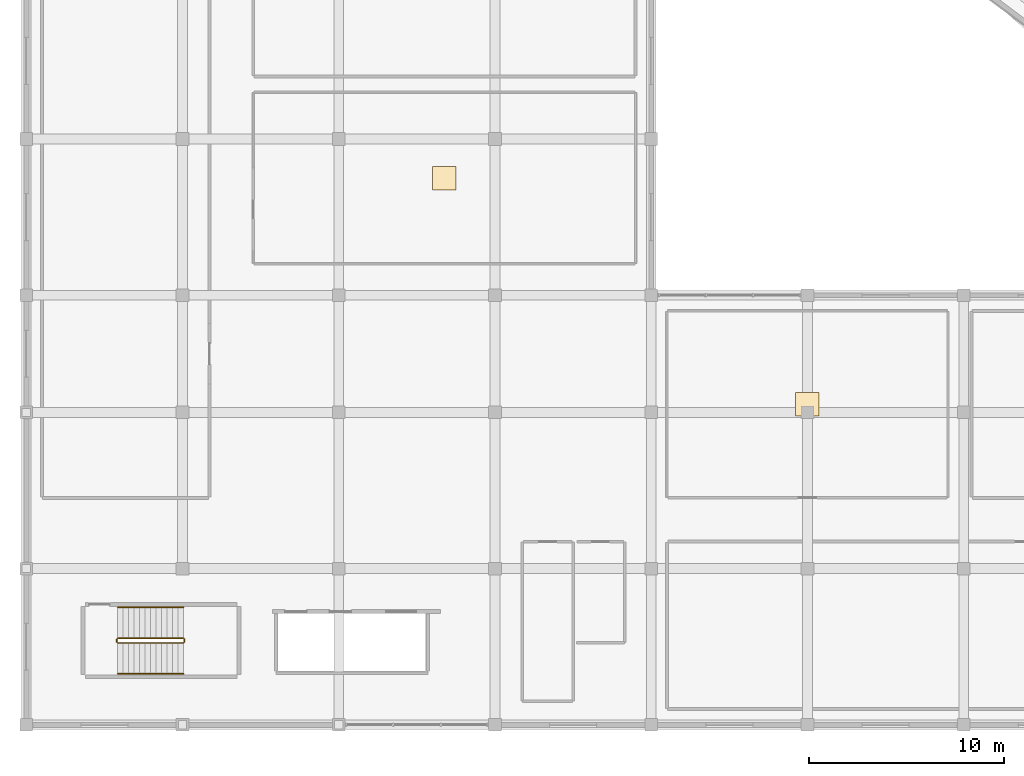
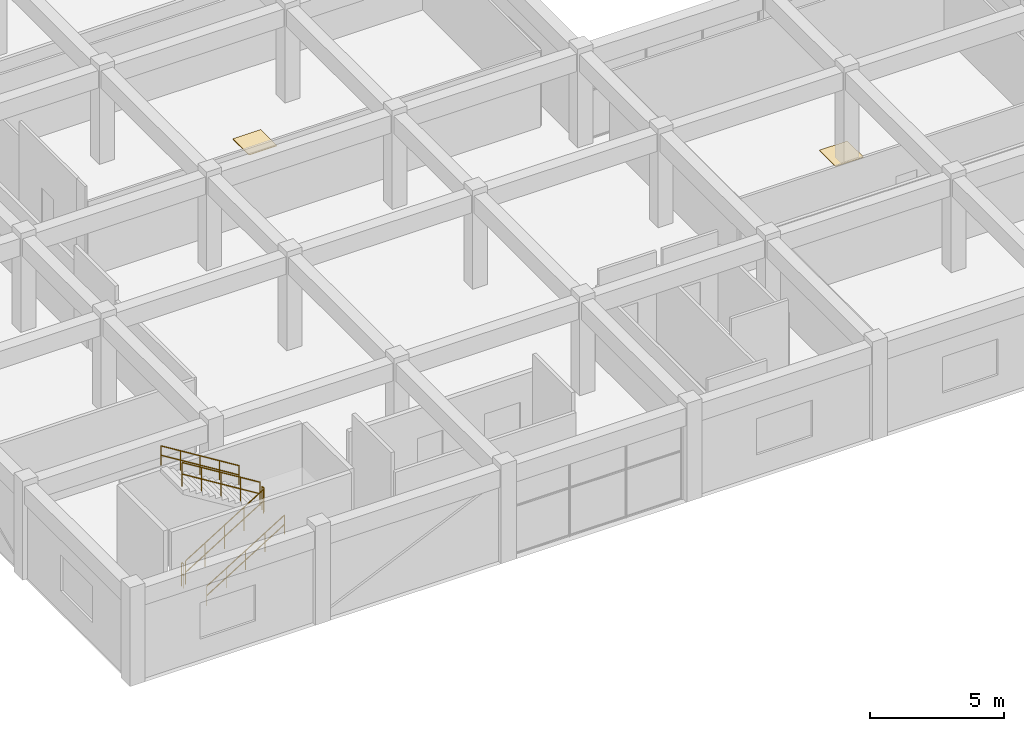
# One storey, part 46 of 52: 6 railings, 2 coverings.
"""IFC4 building model written with IfcOpenShell, lengths in metres."""

from ifc_helpers import new_model, si_unit, direction, frame, origin, origin_2d, place, context, subcontext, project, spatial, polyline, rectangle, outline, extrude, source, transform, mapped, material, layer, layer_set, type_object, element, save


model = new_model("IFC4")

# Units and contexts
model_context = context("Model", 3, precision=1e-05, world=origin(), true_north=direction((0.0, 1.0)))
body_context = subcontext(model_context, "Body", "Model", "MODEL_VIEW")
ifc_project = project(units=[si_unit("LENGTHUNIT", "METRE"), si_unit("AREAUNIT", "SQUARE_METRE"), si_unit("VOLUMEUNIT", "CUBIC_METRE"), si_unit("PLANEANGLEUNIT", "RADIAN"), si_unit("MASSUNIT", "GRAM", prefix="KILO")], contexts=[model_context])

# Site, building, storey
site_placement = place(None, origin())
site = spatial("IfcSite", under=ifc_project, at=site_placement, CompositionType="ELEMENT")
building_placement = place(site_placement, origin())
building = spatial("IfcBuilding", under=site, at=building_placement, Name="Kelanora Arch Commons", CompositionType="ELEMENT")
storey_placement = place(building_placement, frame((0.0, 0.0, 13.5)))
storey = spatial("IfcBuildingStorey", under=building, at=storey_placement, Name="L03", CompositionType="ELEMENT", Elevation=13.5)

# Railings
ifc_material_1 = material(Name="Painted steel stair well guard", Category="steel")
railing_type_1 = type_object("IfcRailingType", Name="RAIL-STAIR-GRD", PredefinedType="GUARDRAIL", material=ifc_material_1)
railing_1_placement = place(storey_placement, frame((8.679931640625, 8.18994140625, 0.173095703125)))
element("IfcRailing", 1, at=railing_1_placement, inside=storey, type_object=railing_type_1, Name="L03 ST-M1 stair guard 1", PredefinedType="GUARDRAIL", context=body_context, shape_type="SweptSolid", body=[
    extrude(outline(polyline([(0.02392578125, 0.0), (0.011962890625, 0.020751953125), (-0.011962890625, 0.020751953125), (-0.02392578125, 0.0), (-0.011962890625, -0.020751953125), (0.011962890625, -0.020751953125), (0.02392578125, 0.0)])), frame((0.0, 0.0, 1.076171875), z_axis=(0.850623216509, 0.0, 0.525775754039), x_axis=(0.0, 1.0, 0.0)), (0.0, 0.0, 1.0), 3.9501953125),
    extrude(outline(polyline([(0.02392578125, 0.0), (0.011962890625, 0.020751953125), (-0.011962890625, 0.020751953125), (-0.02392578125, 0.0), (-0.011962890625, -0.020751953125), (0.011962890625, -0.020751953125), (0.02392578125, 0.0)])), frame((0.0, 0.0, 0.550048828125), z_axis=(0.850623216509, 0.0, 0.525775754039), x_axis=(0.0, 1.0, 0.0)), (0.0, 0.0, 1.0), 3.9501953125),
    extrude(outline(polyline([(0.02099609375, 0.0), (0.010498046875, 0.01806640625), (-0.010498046875, 0.01806640625), (-0.02099609375, 0.0), (-0.010498046875, -0.01806640625), (0.010498046875, -0.01806640625), (0.02099609375, 0.0)])), origin(), (0.0, 0.0, 1.0), 1.052001953125),
    extrude(outline(polyline([(0.02099609375, 0.0), (0.010498046875, 0.01806640625), (-0.010498046875, 0.01806640625), (-0.02099609375, 0.0), (-0.010498046875, -0.01806640625), (0.010498046875, -0.01806640625), (0.02099609375, 0.0)])), frame((0.840087890625, 0.0, 0.519287109375)), (0.0, 0.0, 1.0), 1.052001953125),
    extrude(outline(polyline([(0.02099609375, 0.0), (0.010498046875, 0.01806640625), (-0.010498046875, 0.01806640625), (-0.02099609375, 0.0), (-0.010498046875, -0.01806640625), (0.010498046875, -0.01806640625), (0.02099609375, 0.0)])), frame((1.68017578125, 0.0, 1.03857421875)), (0.0, 0.0, 1.0), 1.052001953125),
    extrude(outline(polyline([(0.02099609375, 0.0), (0.010498046875, 0.01806640625), (-0.010498046875, 0.01806640625), (-0.02099609375, 0.0), (-0.010498046875, -0.01806640625), (0.010498046875, -0.01806640625), (0.02099609375, 0.0)])), frame((2.52001953125, 0.0, 1.5576171875)), (0.0, 0.0, 1.0), 1.052001953125),
    extrude(outline(polyline([(0.02099609375, 0.0), (0.010498046875, 0.01806640625), (-0.010498046875, 0.01806640625), (-0.02099609375, 0.0), (-0.010498046875, -0.01806640625), (0.010498046875, -0.01806640625), (0.02099609375, 0.0)])), frame((3.360107421875, 0.0, 2.076904296875)), (0.0, 0.0, 1.0), 1.052001953125),
])
railing_2_placement = place(storey_placement, frame((12.090087890625, 8.239990234375, 2.25)))
element("IfcRailing", 2, at=railing_2_placement, inside=storey, type_object=railing_type_1, Name="L03 ST-M1 stair guard 2", PredefinedType="GUARDRAIL", context=body_context, shape_type="SweptSolid", body=[
    extrude(outline(polyline([(0.02392578125, 0.0), (0.011962890625, 0.020751953125), (-0.011962890625, 0.020751953125), (-0.02392578125, 0.0), (-0.011962890625, -0.020751953125), (0.011962890625, -0.020751953125), (0.02392578125, 0.0)])), frame((0.0, 0.0, 1.076171875), z_axis=(0.0, 1.0, 0.0), x_axis=(-1.0, 0.0, 0.0)), (0.0, 0.0, 1.0), 0.14990234375),
    extrude(outline(polyline([(0.02392578125, 0.0), (0.011962890625, 0.020751953125), (-0.011962890625, 0.020751953125), (-0.02392578125, 0.0), (-0.011962890625, -0.020751953125), (0.011962890625, -0.020751953125), (0.02392578125, 0.0)])), frame((0.0, 0.0, 0.550048828125), z_axis=(0.0, 1.0, 0.0), x_axis=(-1.0, 0.0, 0.0)), (0.0, 0.0, 1.0), 0.14990234375),
    extrude(outline(polyline([(0.02099609375, 0.0), (0.010498046875, 0.01806640625), (-0.010498046875, 0.01806640625), (-0.02099609375, 0.0), (-0.010498046875, -0.01806640625), (0.010498046875, -0.01806640625), (0.02099609375, 0.0)])), origin(), (0.0, 0.0, 1.0), 1.052001953125),
    extrude(outline(polyline([(0.02099609375, 0.0), (0.010498046875, 0.01806640625), (-0.010498046875, 0.01806640625), (-0.02099609375, 0.0), (-0.010498046875, -0.01806640625), (0.010498046875, -0.01806640625), (0.02099609375, 0.0)])), frame((0.0, 0.14990234375, 0.0)), (0.0, 0.0, 1.0), 1.052001953125),
])
railing_3_placement = place(storey_placement, frame((12.0400390625, 8.43994140625, 2.423095703125)))
element("IfcRailing", 3, at=railing_3_placement, inside=storey, type_object=railing_type_1, Name="L03 ST-M1 stair guard 3", PredefinedType="GUARDRAIL", context=body_context, shape_type="SweptSolid", body=[
    extrude(outline(polyline([(0.02392578125, 0.0), (0.011962890625, 0.020751953125), (-0.011962890625, 0.020751953125), (-0.02392578125, 0.0), (-0.011962890625, -0.020751953125), (0.011962890625, -0.020751953125), (0.02392578125, 0.0)])), frame((0.0, 0.0, 1.076171875), z_axis=(-0.850623216509, 0.0, 0.525775754039), x_axis=(0.0, -1.0, 0.0)), (0.0, 0.0, 1.0), 3.9501953125),
    extrude(outline(polyline([(0.02392578125, 0.0), (0.011962890625, 0.020751953125), (-0.011962890625, 0.020751953125), (-0.02392578125, 0.0), (-0.011962890625, -0.020751953125), (0.011962890625, -0.020751953125), (0.02392578125, 0.0)])), frame((0.0, 0.0, 0.550048828125), z_axis=(-0.850623216509, 0.0, 0.525775754039), x_axis=(0.0, -1.0, 0.0)), (0.0, 0.0, 1.0), 3.9501953125),
    extrude(outline(polyline([(0.02099609375, 0.0), (0.010498046875, 0.01806640625), (-0.010498046875, 0.01806640625), (-0.02099609375, 0.0), (-0.010498046875, -0.01806640625), (0.010498046875, -0.01806640625), (0.02099609375, 0.0)])), origin(), (0.0, 0.0, 1.0), 1.052001953125),
    extrude(outline(polyline([(0.02099609375, 0.0), (0.010498046875, 0.01806640625), (-0.010498046875, 0.01806640625), (-0.02099609375, 0.0), (-0.010498046875, -0.01806640625), (0.010498046875, -0.01806640625), (0.02099609375, 0.0)])), frame((-0.840087890625, 0.0, 0.519287109375)), (0.0, 0.0, 1.0), 1.052001953125),
    extrude(outline(polyline([(0.02099609375, 0.0), (0.010498046875, 0.01806640625), (-0.010498046875, 0.01806640625), (-0.02099609375, 0.0), (-0.010498046875, -0.01806640625), (0.010498046875, -0.01806640625), (0.02099609375, 0.0)])), frame((-1.68017578125, 0.0, 1.03857421875)), (0.0, 0.0, 1.0), 1.052001953125),
    extrude(outline(polyline([(0.02099609375, 0.0), (0.010498046875, 0.01806640625), (-0.010498046875, 0.01806640625), (-0.02099609375, 0.0), (-0.010498046875, -0.01806640625), (0.010498046875, -0.01806640625), (0.02099609375, 0.0)])), frame((-2.52001953125, 0.0, 1.5576171875)), (0.0, 0.0, 1.0), 1.052001953125),
    extrude(outline(polyline([(0.02099609375, 0.0), (0.010498046875, 0.01806640625), (-0.010498046875, 0.01806640625), (-0.02099609375, 0.0), (-0.010498046875, -0.01806640625), (0.010498046875, -0.01806640625), (0.02099609375, 0.0)])), frame((-3.360107421875, 0.0, 2.076904296875)), (0.0, 0.0, 1.0), 1.052001953125),
])
railing_4_placement = place(storey_placement, frame((8.6298828125, 8.239990234375, 0.0)))
element("IfcRailing", 4, at=railing_4_placement, inside=storey, type_object=railing_type_1, Name="L03 ST-M1 stair guard 4", PredefinedType="GUARDRAIL", context=body_context, shape_type="SweptSolid", body=[
    extrude(outline(polyline([(0.02392578125, 0.0), (0.011962890625, 0.020751953125), (-0.011962890625, 0.020751953125), (-0.02392578125, 0.0), (-0.011962890625, -0.020751953125), (0.011962890625, -0.020751953125), (0.02392578125, 0.0)])), frame((0.0, 0.0, 1.076171875), z_axis=(0.0, 1.0, 0.0), x_axis=(-1.0, 0.0, 0.0)), (0.0, 0.0, 1.0), 0.14990234375),
    extrude(outline(polyline([(0.02392578125, 0.0), (0.011962890625, 0.020751953125), (-0.011962890625, 0.020751953125), (-0.02392578125, 0.0), (-0.011962890625, -0.020751953125), (0.011962890625, -0.020751953125), (0.02392578125, 0.0)])), frame((0.0, 0.0, 0.550048828125), z_axis=(0.0, 1.0, 0.0), x_axis=(-1.0, 0.0, 0.0)), (0.0, 0.0, 1.0), 0.14990234375),
    extrude(outline(polyline([(0.02099609375, 0.0), (0.010498046875, 0.01806640625), (-0.010498046875, 0.01806640625), (-0.02099609375, 0.0), (-0.010498046875, -0.01806640625), (0.010498046875, -0.01806640625), (0.02099609375, 0.0)])), origin(), (0.0, 0.0, 1.0), 1.052001953125),
    extrude(outline(polyline([(0.02099609375, 0.0), (0.010498046875, 0.01806640625), (-0.010498046875, 0.01806640625), (-0.02099609375, 0.0), (-0.010498046875, -0.01806640625), (0.010498046875, -0.01806640625), (0.02099609375, 0.0)])), frame((0.0, 0.14990234375, 0.0)), (0.0, 0.0, 1.0), 1.052001953125),
])
ifc_material_2 = material(Name="Brushed stainless steel stair handrail", Category="steel")
railing_type_2 = type_object("IfcRailingType", Name="RAIL-STAIR-HND", PredefinedType="HANDRAIL", material=ifc_material_2)
railing_5_placement = place(storey_placement, frame((8.679931640625, 6.610107421875, 0.173095703125)))
element("IfcRailing", 5, at=railing_5_placement, inside=storey, type_object=railing_type_2, Name="L03 ST-M1 stair handrail 1", PredefinedType="HANDRAIL", context=body_context, shape_type="SweptSolid", body=[
    extrude(outline(polyline([(0.02392578125, 0.0), (0.011962890625, 0.020751953125), (-0.011962890625, 0.020751953125), (-0.02392578125, 0.0), (-0.011962890625, -0.020751953125), (0.011962890625, -0.020751953125), (0.02392578125, 0.0)])), frame((0.0, 0.0, 0.8759765625), z_axis=(0.850623216509, 0.0, 0.525775754039), x_axis=(0.0, 1.0, 0.0)), (0.0, 0.0, 1.0), 3.9501953125),
    extrude(outline(polyline([(0.02392578125, 0.0), (0.011962890625, 0.020751953125), (-0.011962890625, 0.020751953125), (-0.02392578125, 0.0), (-0.011962890625, -0.020751953125), (0.011962890625, -0.020751953125), (0.02392578125, 0.0)])), frame((0.0, 0.0, 0.449951171875), z_axis=(0.850623216509, 0.0, 0.525775754039), x_axis=(0.0, 1.0, 0.0)), (0.0, 0.0, 1.0), 3.9501953125),
    extrude(outline(polyline([(0.02099609375, 0.0), (0.010498046875, 0.01806640625), (-0.010498046875, 0.01806640625), (-0.02099609375, 0.0), (-0.010498046875, -0.01806640625), (0.010498046875, -0.01806640625), (0.02099609375, 0.0)])), origin(), (0.0, 0.0, 1.0), 0.851806640625),
    extrude(outline(polyline([(0.02099609375, 0.0), (0.010498046875, 0.01806640625), (-0.010498046875, 0.01806640625), (-0.02099609375, 0.0), (-0.010498046875, -0.01806640625), (0.010498046875, -0.01806640625), (0.02099609375, 0.0)])), frame((0.840087890625, 0.0, 0.519287109375)), (0.0, 0.0, 1.0), 0.851806640625),
    extrude(outline(polyline([(0.02099609375, 0.0), (0.010498046875, 0.01806640625), (-0.010498046875, 0.01806640625), (-0.02099609375, 0.0), (-0.010498046875, -0.01806640625), (0.010498046875, -0.01806640625), (0.02099609375, 0.0)])), frame((1.68017578125, 0.0, 1.03857421875)), (0.0, 0.0, 1.0), 0.851806640625),
    extrude(outline(polyline([(0.02099609375, 0.0), (0.010498046875, 0.01806640625), (-0.010498046875, 0.01806640625), (-0.02099609375, 0.0), (-0.010498046875, -0.01806640625), (0.010498046875, -0.01806640625), (0.02099609375, 0.0)])), frame((2.52001953125, 0.0, 1.5576171875)), (0.0, 0.0, 1.0), 0.851806640625),
    extrude(outline(polyline([(0.02099609375, 0.0), (0.010498046875, 0.01806640625), (-0.010498046875, 0.01806640625), (-0.02099609375, 0.0), (-0.010498046875, -0.01806640625), (0.010498046875, -0.01806640625), (0.02099609375, 0.0)])), frame((3.360107421875, 0.0, 2.076904296875)), (0.0, 0.0, 1.0), 0.851806640625),
])
railing_6_placement = place(storey_placement, frame((12.0400390625, 10.02001953125, 2.423095703125)))
element("IfcRailing", 6, at=railing_6_placement, inside=storey, type_object=railing_type_2, Name="L03 ST-M1 stair handrail 2", PredefinedType="HANDRAIL", context=body_context, shape_type="SweptSolid", body=[
    extrude(outline(polyline([(0.02392578125, 0.0), (0.011962890625, 0.020751953125), (-0.011962890625, 0.020751953125), (-0.02392578125, 0.0), (-0.011962890625, -0.020751953125), (0.011962890625, -0.020751953125), (0.02392578125, 0.0)])), frame((0.0, 0.0, 0.8759765625), z_axis=(-0.850623216509, 0.0, 0.525775754039), x_axis=(0.0, -1.0, 0.0)), (0.0, 0.0, 1.0), 3.9501953125),
    extrude(outline(polyline([(0.02392578125, 0.0), (0.011962890625, 0.020751953125), (-0.011962890625, 0.020751953125), (-0.02392578125, 0.0), (-0.011962890625, -0.020751953125), (0.011962890625, -0.020751953125), (0.02392578125, 0.0)])), frame((0.0, 0.0, 0.449951171875), z_axis=(-0.850623216509, 0.0, 0.525775754039), x_axis=(0.0, -1.0, 0.0)), (0.0, 0.0, 1.0), 3.9501953125),
    extrude(outline(polyline([(0.02099609375, 0.0), (0.010498046875, 0.01806640625), (-0.010498046875, 0.01806640625), (-0.02099609375, 0.0), (-0.010498046875, -0.01806640625), (0.010498046875, -0.01806640625), (0.02099609375, 0.0)])), origin(), (0.0, 0.0, 1.0), 0.851806640625),
    extrude(outline(polyline([(0.02099609375, 0.0), (0.010498046875, 0.01806640625), (-0.010498046875, 0.01806640625), (-0.02099609375, 0.0), (-0.010498046875, -0.01806640625), (0.010498046875, -0.01806640625), (0.02099609375, 0.0)])), frame((-0.840087890625, 0.0, 0.519287109375)), (0.0, 0.0, 1.0), 0.851806640625),
    extrude(outline(polyline([(0.02099609375, 0.0), (0.010498046875, 0.01806640625), (-0.010498046875, 0.01806640625), (-0.02099609375, 0.0), (-0.010498046875, -0.01806640625), (0.010498046875, -0.01806640625), (0.02099609375, 0.0)])), frame((-1.68017578125, 0.0, 1.03857421875)), (0.0, 0.0, 1.0), 0.851806640625),
    extrude(outline(polyline([(0.02099609375, 0.0), (0.010498046875, 0.01806640625), (-0.010498046875, 0.01806640625), (-0.02099609375, 0.0), (-0.010498046875, -0.01806640625), (0.010498046875, -0.01806640625), (0.02099609375, 0.0)])), frame((-2.52001953125, 0.0, 1.5576171875)), (0.0, 0.0, 1.0), 0.851806640625),
    extrude(outline(polyline([(0.02099609375, 0.0), (0.010498046875, 0.01806640625), (-0.010498046875, 0.01806640625), (-0.02099609375, 0.0), (-0.010498046875, -0.01806640625), (0.010498046875, -0.01806640625), (0.02099609375, 0.0)])), frame((-3.360107421875, 0.0, 2.076904296875)), (0.0, 0.0, 1.0), 0.851806640625),
])

# Coverings
ifc_material_3 = material(Name="Polished local granite terrazzo flooring", Category="masonry")
ifc_layer = layer(ifc_material_3, 0.030029296875)
ifc_layer_set = layer_set([ifc_layer], Name="Polished local granite terrazzo flooring")
covering_type = type_object("IfcCoveringType", Name="COV-FLR-TER", PredefinedType="FLOORING", material=ifc_layer_set)
shared_shape = source(origin(), body_context, "Body", "SweptSolid", [
    extrude(rectangle(XDim=1.199951171875, YDim=1.199951171875, at=origin_2d()), origin(), (0.0, 0.0, 1.0), 0.030029296875),
])
for number, where, z_axis, x_axis, name in (
    (7, (44.0, 20.409912109375, 0.0), (0.0, 0.0, 1.0), (1.0, 0.0, 0.0), "Colombo Culinary Teaching Dining Hall Terrazzo Finish"),
    (8, (25.409912109375, 32.0, 0.0), (0.0, 0.0, 1.0), (1.0, 0.0, 0.0), "Community Dining Hall and Bakery Terrazzo Finish"),
):
    element("IfcCovering", number, at=place(storey_placement, frame(where, z_axis=z_axis, x_axis=x_axis)), inside=storey, type_object=covering_type, Name=name, PredefinedType="FLOORING", context=body_context, shape_type="MappedRepresentation", body=[
        mapped(shared_shape, transform((0.0, 0.0, 0.0), scale=1.0)),
    ])

save(model, "model.ifc")
